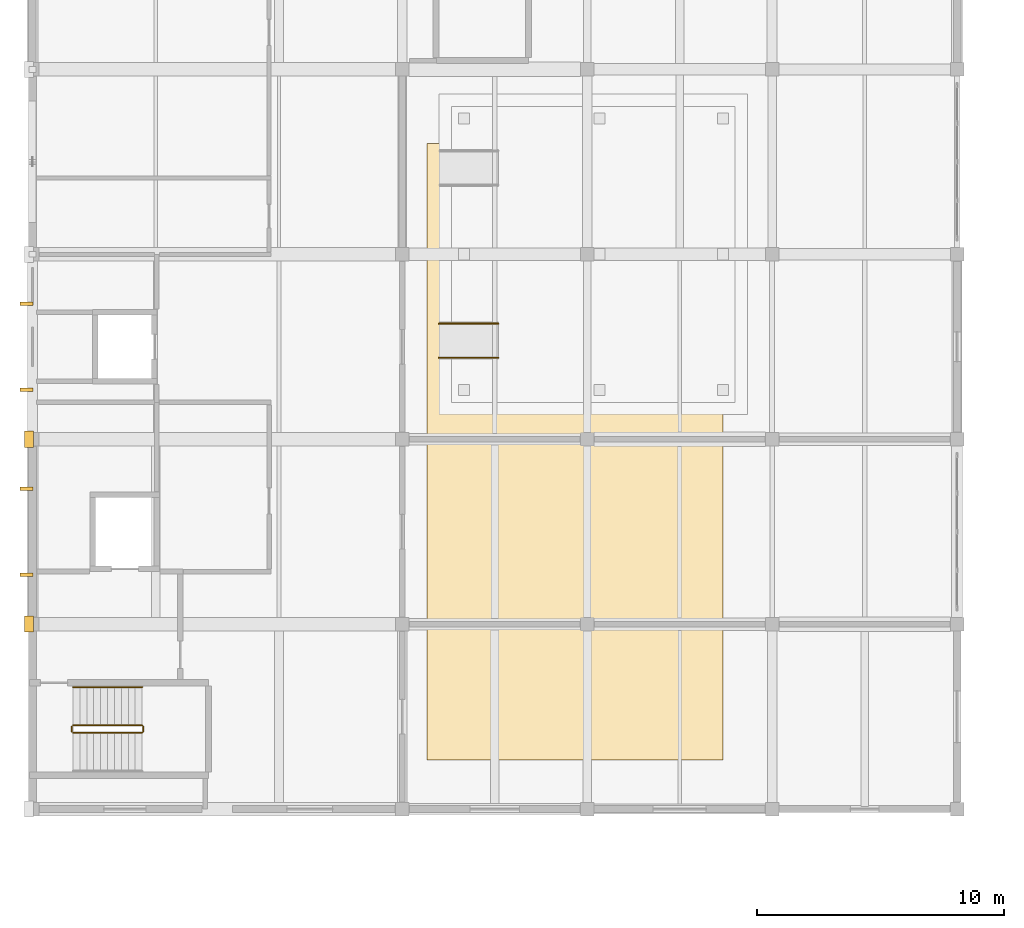
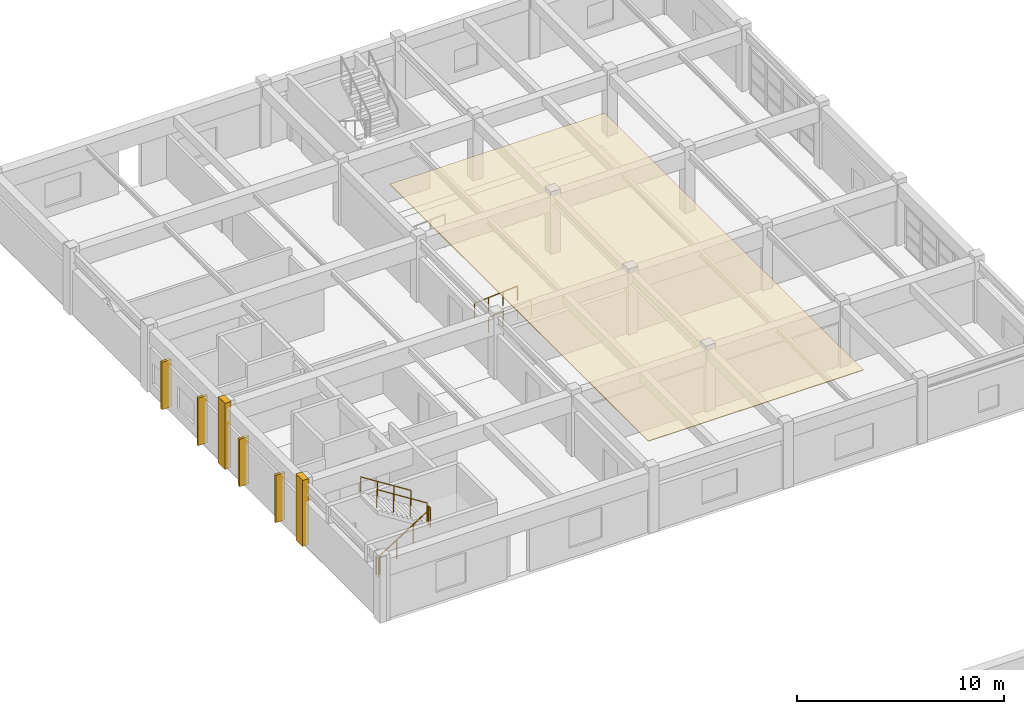
# One storey, part 97 of 101: 7 railings, 4 shading devices, 3 coverings.
"""IFC4 building model written with IfcOpenShell, lengths in metres."""

from ifc_helpers import new_model, si_unit, direction, frame, origin, origin_2d, place, context, subcontext, project, spatial, polyline, rectangle, circle, outline, extrude, material, layer, layer_set, type_object, element, save


model = new_model("IFC4")

# Units and contexts
model_context = context("Model", 3, precision=1e-05, world=origin(), true_north=direction((0.0, 1.0)))
body_context = subcontext(model_context, "Body", "Model", "MODEL_VIEW")
ifc_project = project(units=[si_unit("LENGTHUNIT", "METRE"), si_unit("AREAUNIT", "SQUARE_METRE"), si_unit("VOLUMEUNIT", "CUBIC_METRE"), si_unit("PLANEANGLEUNIT", "RADIAN"), si_unit("MASSUNIT", "GRAM", prefix="KILO")], contexts=[model_context])

# Site, building, storey
site_placement = place(None, origin())
site = spatial("IfcSite", under=ifc_project, at=site_placement, CompositionType="ELEMENT")
building_placement = place(site_placement, origin())
building = spatial("IfcBuilding", under=site, at=building_placement, Name="Qasida Concert Hall", CompositionType="ELEMENT")
storey_placement = place(building_placement, frame((0.0, 0.0, 13.199951171875)))
storey = spatial("IfcBuildingStorey", under=building, at=storey_placement, Name="L03", CompositionType="ELEMENT", Elevation=13.199951171875)

# Coverings
ifc_material_1 = material(Name="Sculpted fibrous plaster acoustic reflector ceiling", Category="gypsum")
ifc_layer_1 = layer(ifc_material_1, 0.0400390625, Name="Sculpted fibrous plaster acoustic reflector ceiling")
ifc_layer_set_1 = layer_set([ifc_layer_1], Name="Sculpted fibrous plaster acoustic reflector ceiling")
covering_type_1 = type_object("IfcCoveringType", Name="CV-CE-1", PredefinedType="CEILING", material=ifc_layer_set_1)
covering_placement = place(storey_placement, frame((0.0, 0.0, 3.6201171875)))
element("IfcCovering", 1, at=covering_placement, inside=storey, type_object=covering_type_1, Name="L03 acoustic reflector ceiling 06", PredefinedType="CEILING", context=body_context, shape_type="SweptSolid", body=[
    extrude(outline(polyline([(16.0, 77.0), (28.0, 77.0), (28.0, 102.0), (16.0, 102.0), (16.0, 77.0)])), origin(), (0.0, 0.0, 1.0), 0.0400390625),
])
ifc_material_2 = material(Name="Projecting fluted Lebanese limestone Art Deco pilaster", Category="masonry")
ifc_layer_2 = layer(ifc_material_2, 0.35009765625, Name="Projecting fluted Lebanese limestone Art Deco pilaster")
ifc_layer_set_2 = layer_set([ifc_layer_2], Name="Projecting fluted Lebanese limestone Art Deco pilaster")
covering_type_2 = type_object("IfcCoveringType", Name="CV-PIL-650", PredefinedType="CLADDING", material=ifc_layer_set_2)
for number, where, z_axis, x_axis, name in (
    (2, (-0.135009765625, 82.5, 0.0), (0.0, 0.0, 1.0), (1.0, 0.0, 0.0), "L03 fluted limestone pilaster 0275"),
    (3, (-0.135009765625, 90.0, 0.0), (0.0, 0.0, 1.0), (1.0, 0.0, 0.0), "L03 fluted limestone pilaster 0282"),
):
    element("IfcCovering", number, at=place(storey_placement, frame(where, z_axis=z_axis, x_axis=x_axis)), inside=storey, type_object=covering_type_2, Name=name, PredefinedType="CLADDING", context=body_context, shape_type="SweptSolid", body=[
        extrude(rectangle(XDim=0.35009765625, YDim=0.64990234375, at=origin_2d()), origin(), (0.0, 0.0, 1.0), 3.89990234375),
    ])

# Railings
ifc_material_3 = material(Name="Patinated architectural bronze and laminated glass infill", Category="glass")
ifc_layer_3 = layer(ifc_material_3, 0.080078125, Name="Patinated architectural bronze and laminated glass infill")
ifc_layer_set_3 = layer_set([ifc_layer_3], Name="Patinated architectural bronze and laminated glass infill")
railing_type_1 = type_object("IfcRailingType", Name="RL-GRD-1100", PredefinedType="GUARDRAIL", material=ifc_layer_set_3)
railing_1_placement = place(storey_placement, frame((1.64990234375, 78.10009765625, 0.17724609375)))
element("IfcRailing", 4, at=railing_1_placement, inside=storey, type_object=railing_type_1, Name="L03 ST-05 stair guard 1", PredefinedType="GUARDRAIL", context=body_context, shape_type="SweptSolid", body=[
    extrude(circle(Radius=0.02392578125, at=origin_2d()), frame((0.0, 0.0, 1.076171875), z_axis=(0.844908973607, 0.0, 0.534910110503), x_axis=(0.0, 1.0, 0.0)), (0.0, 0.0, 1.0), 3.31396484375),
    extrude(circle(Radius=0.02099609375, at=origin_2d()), origin(), (0.0, 0.0, 1.0), 1.052001953125),
    extrude(circle(Radius=0.02099609375, at=origin_2d()), frame((0.933349609375, 0.0, 0.5908203125)), (0.0, 0.0, 1.0), 1.052001953125),
    extrude(circle(Radius=0.02099609375, at=origin_2d()), frame((1.86669921875, 0.0, 1.181884765625)), (0.0, 0.0, 1.0), 1.052001953125),
    extrude(circle(Radius=0.02099609375, at=origin_2d()), frame((2.800048828125, 0.0, 1.772705078125)), (0.0, 0.0, 1.0), 1.052001953125),
])
railing_2_placement = place(storey_placement, frame((4.5, 78.14990234375, 1.949951171875)))
element("IfcRailing", 5, at=railing_2_placement, inside=storey, type_object=railing_type_1, Name="L03 ST-05 stair guard 2", PredefinedType="GUARDRAIL", context=body_context, shape_type="SweptSolid", body=[
    extrude(circle(Radius=0.02392578125, at=origin_2d()), frame((0.0, 0.0, 1.076171875), z_axis=(0.0, 1.0, 0.0), x_axis=(-1.0, 0.0, 0.0)), (0.0, 0.0, 1.0), 0.2001953125),
    extrude(circle(Radius=0.02099609375, at=origin_2d()), origin(), (0.0, 0.0, 1.0), 1.052001953125),
    extrude(circle(Radius=0.02099609375, at=origin_2d()), frame((0.0, 0.2001953125, 0.0)), (0.0, 0.0, 1.0), 1.052001953125),
])
railing_3_placement = place(storey_placement, frame((4.449951171875, 78.39990234375, 2.12744140625)))
element("IfcRailing", 6, at=railing_3_placement, inside=storey, type_object=railing_type_1, Name="L03 ST-05 stair guard 3", PredefinedType="GUARDRAIL", context=body_context, shape_type="SweptSolid", body=[
    extrude(circle(Radius=0.02392578125, at=origin_2d()), frame((0.0, 0.0, 1.076171875), z_axis=(-0.844908973607, 0.0, 0.534910110503), x_axis=(0.0, -1.0, 0.0)), (0.0, 0.0, 1.0), 3.31396484375),
    extrude(circle(Radius=0.02099609375, at=origin_2d()), origin(), (0.0, 0.0, 1.0), 1.052001953125),
    extrude(circle(Radius=0.02099609375, at=origin_2d()), frame((-0.933349609375, 0.0, 0.5908203125)), (0.0, 0.0, 1.0), 1.052001953125),
    extrude(circle(Radius=0.02099609375, at=origin_2d()), frame((-1.86669921875, 0.0, 1.181884765625)), (0.0, 0.0, 1.0), 1.052001953125),
    extrude(circle(Radius=0.02099609375, at=origin_2d()), frame((-2.800048828125, 0.0, 1.772705078125)), (0.0, 0.0, 1.0), 1.052001953125),
])
railing_4_placement = place(storey_placement, frame((1.60009765625, 78.14990234375, 0.0)))
element("IfcRailing", 7, at=railing_4_placement, inside=storey, type_object=railing_type_1, Name="L03 ST-05 stair guard 4", PredefinedType="GUARDRAIL", context=body_context, shape_type="SweptSolid", body=[
    extrude(circle(Radius=0.02392578125, at=origin_2d()), frame((0.0, 0.0, 1.076171875), z_axis=(0.0, 1.0, 0.0), x_axis=(-1.0, 0.0, 0.0)), (0.0, 0.0, 1.0), 0.2001953125),
    extrude(circle(Radius=0.02099609375, at=origin_2d()), origin(), (0.0, 0.0, 1.0), 1.052001953125),
    extrude(circle(Radius=0.02099609375, at=origin_2d()), frame((0.0, 0.2001953125, 0.0)), (0.0, 0.0, 1.0), 1.052001953125),
])
ifc_material_4 = material(Name="Patinated tubular architectural bronze", Category="steel")
ifc_layer_4 = layer(ifc_material_4, 0.050048828125, Name="Patinated tubular architectural bronze")
ifc_layer_set_4 = layer_set([ifc_layer_4], Name="Patinated tubular architectural bronze")
railing_type_2 = type_object("IfcRailingType", Name="RL-HND-900", PredefinedType="HANDRAIL", material=ifc_layer_set_4)
railing_5_placement = place(storey_placement, frame((4.449951171875, 79.949951171875, 2.12744140625)))
element("IfcRailing", 8, at=railing_5_placement, inside=storey, type_object=railing_type_2, Name="L03 ST-05 stair handrail 2", PredefinedType="HANDRAIL", context=body_context, shape_type="SweptSolid", body=[
    extrude(circle(Radius=0.02392578125, at=origin_2d()), frame((0.0, 0.0, 0.8759765625), z_axis=(-0.844908973607, 0.0, 0.534910110503), x_axis=(0.0, -1.0, 0.0)), (0.0, 0.0, 1.0), 3.31396484375),
    extrude(circle(Radius=0.02099609375, at=origin_2d()), origin(), (0.0, 0.0, 1.0), 0.851806640625),
    extrude(circle(Radius=0.02099609375, at=origin_2d()), frame((-0.933349609375, 0.0, 0.5908203125)), (0.0, 0.0, 1.0), 0.851806640625),
    extrude(circle(Radius=0.02099609375, at=origin_2d()), frame((-1.86669921875, 0.0, 1.181884765625)), (0.0, 0.0, 1.0), 0.851806640625),
    extrude(circle(Radius=0.02099609375, at=origin_2d()), frame((-2.800048828125, 0.0, 1.772705078125)), (0.0, 0.0, 1.0), 0.851806640625),
])
for number, where, name in (
    (9, (16.5, 93.31005859375, 0.0), "Recording studio south accessible ramp handrail L"),
    (10, (16.5, 94.68994140625, 0.0), "Recording studio south accessible ramp handrail R"),
):
    element("IfcRailing", number, at=place(storey_placement, frame(where)), inside=storey, type_object=railing_type_2, Name=name, PredefinedType="HANDRAIL", context=body_context, shape_type="SweptSolid", body=[
        extrude(circle(Radius=0.02392578125, at=origin_2d()), frame((0.0, 0.0, 0.8759765625), z_axis=(0.997201201018, 0.0, 0.074764728906), x_axis=(0.0, 1.0, 0.0)), (0.0, 0.0, 1.0), 2.40673828125),
        extrude(circle(Radius=0.02099609375, at=origin_2d()), origin(), (0.0, 0.0, 1.0), 0.851806640625),
        extrude(circle(Radius=0.02099609375, at=origin_2d()), frame((0.800048828125, 0.0, 0.06005859375)), (0.0, 0.0, 1.0), 0.851806640625),
        extrude(circle(Radius=0.02099609375, at=origin_2d()), frame((1.599853515625, 0.0, 0.119873046875)), (0.0, 0.0, 1.0), 0.851806640625),
        extrude(circle(Radius=0.02099609375, at=origin_2d()), frame((2.39990234375, 0.0, 0.179931640625)), (0.0, 0.0, 1.0), 0.851806640625),
    ])

# Shading devices
ifc_material_5 = material(Name="Fluted ochre Lebanese limestone and patinated bronze", Category="masonry")
shading_device_type = type_object("IfcShadingDeviceType", Name="SHD-FIN-520", PredefinedType="USERDEFINED", material=ifc_material_5)
for number, where, z_axis, x_axis, name in (
    (11, (-0.239990234375, 84.5, 0.10009765625), (0.0, 0.0, 1.0), (1.0, 0.0, 0.0), "L03 conservatory solar fin W-05"),
    (12, (-0.239990234375, 88.0, 0.10009765625), (0.0, 0.0, 1.0), (1.0, 0.0, 0.0), "L03 conservatory solar fin W-06"),
    (13, (-0.239990234375, 92.0, 0.10009765625), (0.0, 0.0, 1.0), (1.0, 0.0, 0.0), "L03 conservatory solar fin W-07"),
    (14, (-0.239990234375, 95.5, 0.10009765625), (0.0, 0.0, 1.0), (1.0, 0.0, 0.0), "L03 conservatory solar fin W-08"),
):
    element("IfcShadingDevice", number, at=place(storey_placement, frame(where, z_axis=z_axis, x_axis=x_axis)), inside=storey, type_object=shading_device_type, Name=name, ObjectType="FIN", PredefinedType="USERDEFINED", context=body_context, shape_type="SweptSolid", body=[
        extrude(rectangle(XDim=0.52001953125, YDim=0.139892578125, at=origin_2d()), origin(), (0.0, 0.0, 1.0), 2.800048828125),
    ])

save(model, "model.ifc")
